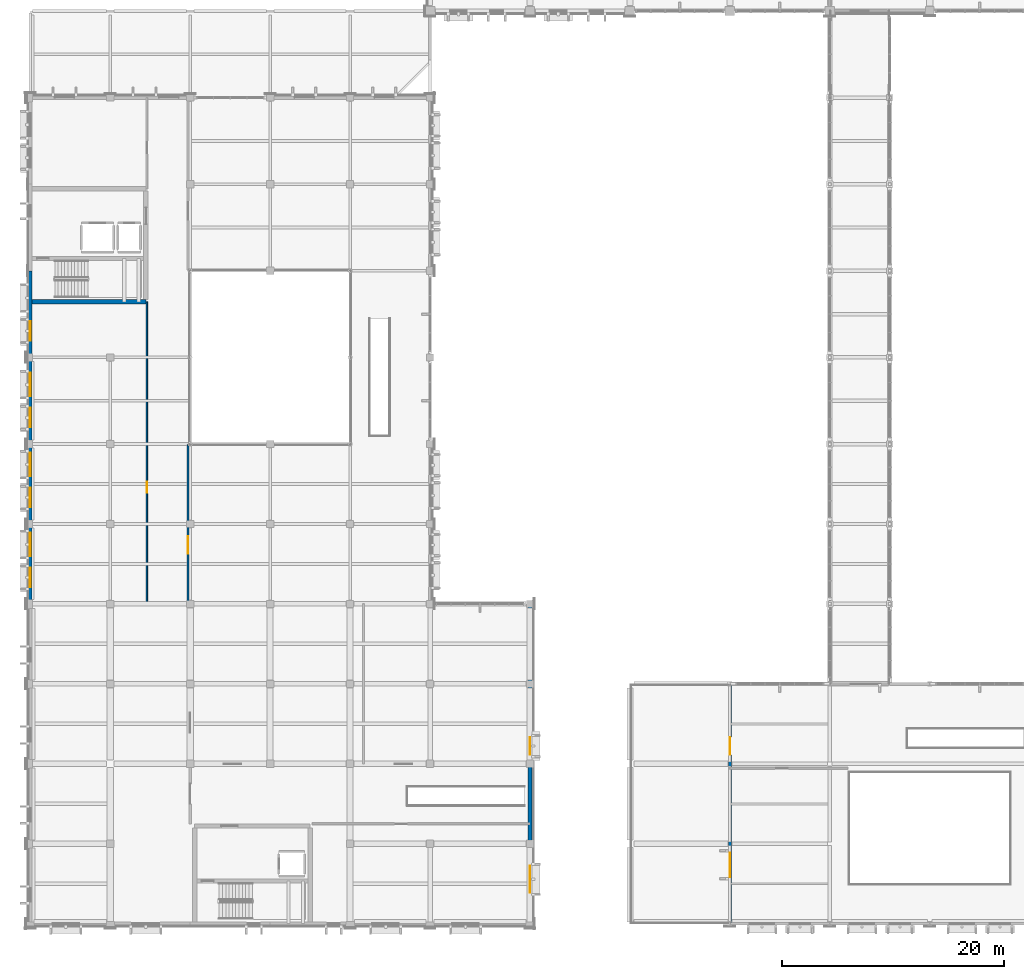
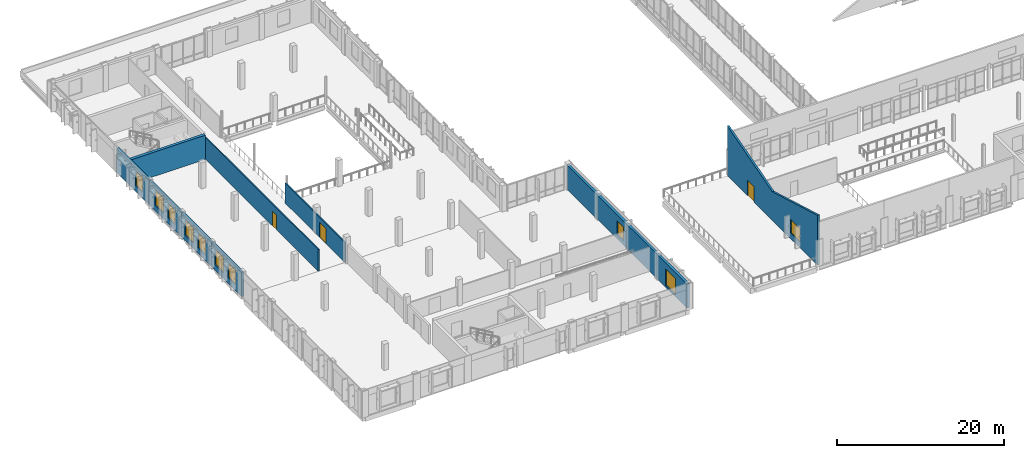
# One storey, part 55 of 85: 10 windows, 9 walls, 3 doors, 13 openings.
"""IFC4 building model written with IfcOpenShell, lengths in metres."""

from ifc_helpers import new_model, si_unit, direction, frame, frame_2d, origin, place, context, subcontext, project, spatial, polyline, rectangle, outline, extrude, material, layer, layer_set, type_object, element, fill, save


model = new_model("IFC4")

# Units and contexts
model_context = context("Model", 3, precision=1e-05, world=origin(), true_north=direction((0.0, 1.0)))
body_context = subcontext(model_context, "Body", "Model", "MODEL_VIEW")
ifc_project = project(units=[si_unit("LENGTHUNIT", "METRE"), si_unit("AREAUNIT", "SQUARE_METRE"), si_unit("VOLUMEUNIT", "CUBIC_METRE"), si_unit("PLANEANGLEUNIT", "RADIAN"), si_unit("MASSUNIT", "GRAM", prefix="KILO")], contexts=[model_context])

# Site, building, storey
site_placement = place(None, origin())
site = spatial("IfcSite", under=ifc_project, at=site_placement, CompositionType="ELEMENT")
building_placement = place(site_placement, origin())
building = spatial("IfcBuilding", under=site, at=building_placement, Name="Vervanel Yard Central Library", CompositionType="ELEMENT")
storey_placement = place(building_placement, frame((0.0, 0.0, 5.10009765625)))
storey = spatial("IfcBuildingStorey", under=building, at=storey_placement, Name="L01", CompositionType="ELEMENT", Elevation=5.10009765625)

# Wall, opening, door
ifc_material_1 = material(Name="Fire-rated gypsum board on steel studs", Category="steel")
ifc_layer_1 = layer(ifc_material_1, 0.159912109375, Category="steel")
ifc_layer_set_1 = layer_set([ifc_layer_1], Name="Fire-rated gypsum board on steel studs")
wall_type_1 = type_object("IfcWallType", Name="Acoustic Glazed Partition 160", PredefinedType="PARTITIONING", material=ifc_layer_set_1)
wall_1_placement = place(storey_placement, frame((14.199951171875, 28.800048828125, 0.0), z_axis=(0.0, 0.0, 1.0), x_axis=(0.0, 1.0, 0.0)))
wall_1 = element("IfcWall", 1, at=wall_1_placement, inside=storey, type_object=wall_type_1, Name="L01 Acoustic Glazed Partition 160 IPART-L01-0059", PredefinedType="PARTITIONING", context=body_context, shape_type="SweptSolid", body=[
    extrude(rectangle(XDim=14.320068359375, YDim=0.159912109375, at=frame_2d((7.16015625, 0.0))), origin(), (0.0, 0.0, 1.0), 2.94287109375),
])
opening_1_placement = place(wall_1_placement, frame((4.5, 0.0, 0.0)))
opening_1 = element("IfcOpeningElement", 2, at=opening_1_placement, cuts=wall_1, Name="Opening DR-04", PredefinedType="OPENING", context=body_context, shape_type="SweptSolid", body=[
    extrude(rectangle(XDim=1.60009765625, YDim=2.199951171875, at=frame_2d((0.800048828125, 1.10009765625))), frame((0.0, 0.08984375, 0.0), z_axis=(0.0, -1.0, 0.0), x_axis=(1.0, 0.0, 0.0)), (0.0, 0.0, 1.0), 0.179931640625),
])
ifc_material_2 = material(Name="Solid white oak acoustic joinery", Category="wood")
door_type_1 = type_object("IfcDoorType", Name="Interior Double Reading Door 1600x2200", OperationType="NOTDEFINED", PredefinedType="DOOR", material=ifc_material_2)
door_1_placement = place(opening_1_placement, origin())
door_1 = element("IfcDoor", 3, at=door_1_placement, inside=storey, type_object=door_type_1, Name="L01 Interior Double Reading Door 1600x2200 IDOOR-L01-0045", OperationType="DOUBLE_DOOR_SINGLE_SWING", OverallHeight=2.199951171875, OverallWidth=1.60009765625, PredefinedType="DOOR", context=body_context, shape_type="SweptSolid", body=[
    extrude(rectangle(XDim=1.60009765625, YDim=2.199951171875, at=frame_2d((0.800048828125, 1.10009765625))), frame((0.0, 0.02490234375, 0.0), z_axis=(0.0, -1.0, 0.0), x_axis=(1.0, 0.0, 0.0)), (0.0, 0.0, 1.0), 0.050048828125),
])
fill(opening_1, door_1)

# Wall, openings, window, door
ifc_material_3 = material(Name="Concrete C40/50", Category="concrete")
ifc_layer_2 = layer(ifc_material_3, 0.260009765625, Category="concrete")
ifc_layer_set_2 = layer_set([ifc_layer_2], Name="Concrete C40/50")
wall_type_2 = type_object("IfcWallType", Name="Children's Pavilion Concrete Wall 260", PredefinedType="SOLIDWALL", material=ifc_layer_set_2)
wall_2_placement = place(storey_placement, frame((63.0, 0.0, 0.0), z_axis=(0.0, 0.0, 1.0), x_axis=(0.0, 1.0, 0.0)))
wall_2 = element("IfcWall", 4, at=wall_2_placement, inside=storey, type_object=wall_type_2, Name="L01 Children's Pavilion Concrete Wall 260 EWALL-L01-0206", PredefinedType="SOLIDWALL", context=body_context, shape_type="SweptSolid", body=[
    extrude(outline(polyline([(0.0, 0.0), (21.60009765625, 0.0), (21.60009765625, 7.296875), (10.800048828125, 4.199951171875), (0.0, 7.296875), (0.0, 0.0)])), frame((0.0, 0.1298828125, 0.0), z_axis=(0.0, -1.0, 0.0), x_axis=(1.0, 0.0, 0.0)), (0.0, 0.0, 1.0), 0.260009765625),
])
opening_2_placement = place(wall_2_placement, frame((15.199951171875, 0.0, 0.0)))
opening_2 = element("IfcOpeningElement", 5, at=opening_2_placement, cuts=wall_2, Name="Opening DR-T01", PredefinedType="OPENING", context=body_context, shape_type="SweptSolid", body=[
    extrude(rectangle(XDim=1.60009765625, YDim=2.25, at=frame_2d((0.800048828125, 1.125))), frame((0.0, 0.139892578125, 0.0), z_axis=(0.0, -1.0, 0.0), x_axis=(1.0, 0.0, 0.0)), (0.0, 0.0, 1.0), 0.280029296875),
])
opening_3_placement = place(wall_2_placement, frame((4.199951171875, 0.0, 0.85009765625)))
opening_3 = element("IfcOpeningElement", 6, at=opening_3_placement, cuts=wall_2, Name="Opening WN-11", PredefinedType="OPENING", context=body_context, shape_type="SweptSolid", body=[
    extrude(rectangle(XDim=2.199951171875, YDim=1.949951171875, at=frame_2d((1.10009765625, 0.97509765625))), frame((0.0, 0.139892578125, 0.0), z_axis=(0.0, -1.0, 0.0), x_axis=(1.0, 0.0, 0.0)), (0.0, 0.0, 1.0), 0.280029296875),
])
ifc_material_4 = material(Name="Double low-E laminated solar-control glass", Category="glass")
window_type_1 = type_object("IfcWindowType", Name="Children's Discovery Picture Window 2200x1950", PartitioningType="SINGLE_PANEL", PredefinedType="WINDOW", material=ifc_material_4)
window_1_placement = place(opening_3_placement, origin())
window_1 = element("IfcWindow", 7, at=window_1_placement, inside=storey, type_object=window_type_1, Name="L01 Children's Discovery Picture Window 2200x1950 269", OverallHeight=1.949951171875, OverallWidth=2.199951171875, PartitioningType="SINGLE_PANEL", PredefinedType="WINDOW", context=body_context, shape_type="SweptSolid", body=[
    extrude(rectangle(XDim=2.199951171875, YDim=1.949951171875, at=frame_2d((1.10009765625, 0.97509765625))), frame((0.0, 0.030029296875, 0.0), z_axis=(0.0, -1.0, 0.0), x_axis=(1.0, 0.0, 0.0)), (0.0, 0.0, 1.0), 0.06005859375),
])
fill(opening_3, window_1)
ifc_material_5 = material(Name="Thermally broken anodized aluminium 6063-T6", Category="aluminium")
door_type_2 = type_object("IfcDoorType", Name="Roof Garden Terrace Double Door 1600x2250", OperationType="NOTDEFINED", PredefinedType="DOOR", material=ifc_material_5)
door_2_placement = place(opening_2_placement, origin())
door_2 = element("IfcDoor", 8, at=door_2_placement, inside=storey, type_object=door_type_2, Name="L01 Roof Garden Terrace Double Door 1600x2250 21", OperationType="DOUBLE_DOOR_SINGLE_SWING", OverallHeight=2.25, OverallWidth=1.60009765625, PredefinedType="DOOR", context=body_context, shape_type="SweptSolid", body=[
    extrude(rectangle(XDim=1.60009765625, YDim=2.25, at=frame_2d((0.800048828125, 1.125))), frame((0.0, 0.02490234375, 0.0), z_axis=(0.0, -1.0, 0.0), x_axis=(1.0, 0.0, 0.0)), (0.0, 0.0, 1.0), 0.050048828125),
])
fill(opening_2, door_2)

# Wall
ifc_material_6 = material(Name="Concrete C45/55", Category="concrete")
ifc_layer_3 = layer(ifc_material_6, 0.39990234375, Category="concrete")
ifc_layer_set_3 = layer_set([ifc_layer_3], Name="Concrete C45/55")
wall_type_3 = type_object("IfcWallType", Name="Core Primary Shear Wall 400", PredefinedType="SHEAR", material=ifc_layer_set_3)
wall_3_placement = place(storey_placement, frame((0.169921875, 56.0, 0.0), z_axis=(0.0, 0.0, 1.0), x_axis=(1.0, 0.0, 0.0)))
element("IfcWall", 9, at=wall_3_placement, inside=storey, type_object=wall_type_3, Name="L01 CORE-C Shear Wall S", PredefinedType="SHEAR", context=body_context, shape_type="SweptSolid", body=[
    extrude(rectangle(XDim=10.22998046875, YDim=0.39990234375, at=frame_2d((5.114990234375, 0.0))), origin(), (0.0, 0.0, 1.0), 3.5498046875),
])

# Wall, openings, windows
ifc_layer_4 = layer(ifc_material_6, 0.340087890625, Category="concrete")
ifc_layer_set_4 = layer_set([ifc_layer_4], Name="Concrete C45/55")
wall_type_4 = type_object("IfcWallType", Name="Exterior Bearing Concrete Frame Wall 340", PredefinedType="SOLIDWALL", material=ifc_layer_set_4)
wall_4_placement = place(storey_placement, frame((0.0, 28.800048828125, 0.0), z_axis=(0.0, 0.0, 1.0), x_axis=(0.0, 1.0, 0.0)))
wall_4 = element("IfcWall", 10, at=wall_4_placement, inside=storey, type_object=wall_type_4, Name="L01 Exterior Bearing Concrete Frame Wall 340 EWALL-L01-0098", PredefinedType="SOLIDWALL", context=body_context, shape_type="SweptSolid", body=[
    extrude(rectangle(XDim=7.199951171875, YDim=0.340087890625, at=frame_2d((3.60009765625, 0.0))), origin(), (0.0, 0.0, 1.0), 3.5498046875),
])
opening_4_placement = place(wall_4_placement, frame((1.5, 0.0, 0.85009765625)))
opening_4 = element("IfcOpeningElement", 11, at=opening_4_placement, cuts=wall_4, Name="Opening WN-23", PredefinedType="OPENING", context=body_context, shape_type="SweptSolid", body=[
    extrude(rectangle(XDim=1.75, YDim=2.14990234375, at=frame_2d((0.875, 1.074951171875))), frame((0.0, 0.179931640625, 0.0), z_axis=(0.0, -1.0, 0.0), x_axis=(1.0, 0.0, 0.0)), (0.0, 0.0, 1.0), 0.360107421875),
])
opening_5_placement = place(wall_4_placement, frame((4.300048828125, 0.0, 0.827880859375)))
opening_5 = element("IfcOpeningElement", 12, at=opening_5_placement, cuts=wall_4, Name="Opening WN-08", PredefinedType="OPENING", context=body_context, shape_type="SweptSolid", body=[
    extrude(rectangle(XDim=2.10009765625, YDim=2.25, at=frame_2d((1.050048828125, 1.125))), frame((0.0, 0.179931640625, 0.0), z_axis=(0.0, -1.0, 0.0), x_axis=(1.0, 0.0, 0.0)), (0.0, 0.0, 1.0), 0.360107421875),
])
window_type_2 = type_object("IfcWindowType", Name="Atrium Northlight Window 1750x2150", PartitioningType="SINGLE_PANEL", PredefinedType="WINDOW", material=ifc_material_4)
window_2_placement = place(opening_4_placement, origin())
window_2 = element("IfcWindow", 13, at=window_2_placement, inside=storey, type_object=window_type_2, Name="L01 Atrium Northlight Window 1750x2150 124", OverallHeight=2.14990234375, OverallWidth=1.75, PartitioningType="SINGLE_PANEL", PredefinedType="WINDOW", context=body_context, shape_type="SweptSolid", body=[
    extrude(rectangle(XDim=1.75, YDim=2.14990234375, at=frame_2d((0.875, 1.074951171875))), frame((0.0, 0.030029296875, 0.0), z_axis=(0.0, -1.0, 0.0), x_axis=(1.0, 0.0, 0.0)), (0.0, 0.0, 1.0), 0.06005859375),
])
fill(opening_4, window_2)
window_type_3 = type_object("IfcWindowType", Name="Atrium Seminar Window 2100x2250", PartitioningType="SINGLE_PANEL", PredefinedType="WINDOW", material=ifc_material_4)
window_3_placement = place(opening_5_placement, origin())
window_3 = element("IfcWindow", 14, at=window_3_placement, inside=storey, type_object=window_type_3, Name="L01 Atrium Seminar Window 2100x2250 125", OverallHeight=2.25, OverallWidth=2.10009765625, PartitioningType="SINGLE_PANEL", PredefinedType="WINDOW", context=body_context, shape_type="SweptSolid", body=[
    extrude(rectangle(XDim=2.10009765625, YDim=2.25, at=frame_2d((1.050048828125, 1.125))), frame((0.0, 0.030029296875, 0.0), z_axis=(0.0, -1.0, 0.0), x_axis=(1.0, 0.0, 0.0)), (0.0, 0.0, 1.0), 0.06005859375),
])
fill(opening_5, window_3)

wall_5_placement = place(storey_placement, frame((0.0, 36.0, 0.0), z_axis=(0.0, 0.0, 1.0), x_axis=(0.0, 1.0, 0.0)))
wall_5 = element("IfcWall", 15, at=wall_5_placement, inside=storey, type_object=wall_type_4, Name="L01 Exterior Bearing Concrete Frame Wall 340 EWALL-L01-0099", PredefinedType="SOLIDWALL", context=body_context, shape_type="SweptSolid", body=[
    extrude(rectangle(XDim=7.199951171875, YDim=0.340087890625, at=frame_2d((3.60009765625, 0.0))), origin(), (0.0, 0.0, 1.0), 3.5498046875),
])
opening_6_placement = place(wall_5_placement, frame((1.5, 0.0, 0.85009765625)))
opening_6 = element("IfcOpeningElement", 16, at=opening_6_placement, cuts=wall_5, Name="Opening WN-23", PredefinedType="OPENING", context=body_context, shape_type="SweptSolid", body=[
    extrude(rectangle(XDim=1.75, YDim=2.14990234375, at=frame_2d((0.875, 1.074951171875))), frame((0.0, 0.179931640625, 0.0), z_axis=(0.0, -1.0, 0.0), x_axis=(1.0, 0.0, 0.0)), (0.0, 0.0, 1.0), 0.360107421875),
])
opening_7_placement = place(wall_5_placement, frame((4.300048828125, 0.0, 0.798095703125)))
opening_7 = element("IfcOpeningElement", 17, at=opening_7_placement, cuts=wall_5, Name="Opening WN-08", PredefinedType="OPENING", context=body_context, shape_type="SweptSolid", body=[
    extrude(rectangle(XDim=2.10009765625, YDim=2.25, at=frame_2d((1.050048828125, 1.125))), frame((0.0, 0.179931640625, 0.0), z_axis=(0.0, -1.0, 0.0), x_axis=(1.0, 0.0, 0.0)), (0.0, 0.0, 1.0), 0.360107421875),
])
window_4_placement = place(opening_6_placement, origin())
window_4 = element("IfcWindow", 18, at=window_4_placement, inside=storey, type_object=window_type_2, Name="L01 Atrium Northlight Window 1750x2150 126", OverallHeight=2.14990234375, OverallWidth=1.75, PartitioningType="SINGLE_PANEL", PredefinedType="WINDOW", context=body_context, shape_type="SweptSolid", body=[
    extrude(rectangle(XDim=1.75, YDim=2.14990234375, at=frame_2d((0.875, 1.074951171875))), frame((0.0, 0.030029296875, 0.0), z_axis=(0.0, -1.0, 0.0), x_axis=(1.0, 0.0, 0.0)), (0.0, 0.0, 1.0), 0.06005859375),
])
fill(opening_6, window_4)
window_5_placement = place(opening_7_placement, origin())
window_5 = element("IfcWindow", 19, at=window_5_placement, inside=storey, type_object=window_type_3, Name="L01 Atrium Seminar Window 2100x2250 127", OverallHeight=2.25, OverallWidth=2.10009765625, PartitioningType="SINGLE_PANEL", PredefinedType="WINDOW", context=body_context, shape_type="SweptSolid", body=[
    extrude(rectangle(XDim=2.10009765625, YDim=2.25, at=frame_2d((1.050048828125, 1.125))), frame((0.0, 0.030029296875, 0.0), z_axis=(0.0, -1.0, 0.0), x_axis=(1.0, 0.0, 0.0)), (0.0, 0.0, 1.0), 0.06005859375),
])
fill(opening_7, window_5)

wall_6_placement = place(storey_placement, frame((0.0, 43.199951171875, 0.0), z_axis=(0.0, 0.0, 1.0), x_axis=(0.0, 1.0, 0.0)))
wall_6 = element("IfcWall", 20, at=wall_6_placement, inside=storey, type_object=wall_type_4, Name="L01 Exterior Bearing Concrete Frame Wall 340 EWALL-L01-0100", PredefinedType="SOLIDWALL", context=body_context, shape_type="SweptSolid", body=[
    extrude(rectangle(XDim=7.800048828125, YDim=0.340087890625, at=frame_2d((3.89990234375, 0.0))), origin(), (0.0, 0.0, 1.0), 3.5498046875),
])
opening_8_placement = place(wall_6_placement, frame((1.5, 0.0, 0.85009765625)))
opening_8 = element("IfcOpeningElement", 21, at=opening_8_placement, cuts=wall_6, Name="Opening WN-23", PredefinedType="OPENING", context=body_context, shape_type="SweptSolid", body=[
    extrude(rectangle(XDim=1.75, YDim=2.14990234375, at=frame_2d((0.875, 1.074951171875))), frame((0.0, 0.179931640625, 0.0), z_axis=(0.0, -1.0, 0.0), x_axis=(1.0, 0.0, 0.0)), (0.0, 0.0, 1.0), 0.360107421875),
])
opening_9_placement = place(wall_6_placement, frame((4.300048828125, 0.0, 0.798095703125)))
opening_9 = element("IfcOpeningElement", 22, at=opening_9_placement, cuts=wall_6, Name="Opening WN-08", PredefinedType="OPENING", context=body_context, shape_type="SweptSolid", body=[
    extrude(rectangle(XDim=2.10009765625, YDim=2.25, at=frame_2d((1.050048828125, 1.125))), frame((0.0, 0.179931640625, 0.0), z_axis=(0.0, -1.0, 0.0), x_axis=(1.0, 0.0, 0.0)), (0.0, 0.0, 1.0), 0.360107421875),
])
window_6_placement = place(opening_8_placement, origin())
window_6 = element("IfcWindow", 23, at=window_6_placement, inside=storey, type_object=window_type_2, Name="L01 Atrium Northlight Window 1750x2150 128", OverallHeight=2.14990234375, OverallWidth=1.75, PartitioningType="SINGLE_PANEL", PredefinedType="WINDOW", context=body_context, shape_type="SweptSolid", body=[
    extrude(rectangle(XDim=1.75, YDim=2.14990234375, at=frame_2d((0.875, 1.074951171875))), frame((0.0, 0.030029296875, 0.0), z_axis=(0.0, -1.0, 0.0), x_axis=(1.0, 0.0, 0.0)), (0.0, 0.0, 1.0), 0.06005859375),
])
fill(opening_8, window_6)
window_7_placement = place(opening_9_placement, origin())
window_7 = element("IfcWindow", 24, at=window_7_placement, inside=storey, type_object=window_type_3, Name="L01 Atrium Seminar Window 2100x2250 129", OverallHeight=2.25, OverallWidth=2.10009765625, PartitioningType="SINGLE_PANEL", PredefinedType="WINDOW", context=body_context, shape_type="SweptSolid", body=[
    extrude(rectangle(XDim=2.10009765625, YDim=2.25, at=frame_2d((1.050048828125, 1.125))), frame((0.0, 0.030029296875, 0.0), z_axis=(0.0, -1.0, 0.0), x_axis=(1.0, 0.0, 0.0)), (0.0, 0.0, 1.0), 0.06005859375),
])
fill(opening_9, window_7)

# Wall, opening, window
wall_7_placement = place(storey_placement, frame((0.0, 51.0, 0.0), z_axis=(0.0, 0.0, 1.0), x_axis=(0.0, 1.0, 0.0)))
wall_7 = element("IfcWall", 25, at=wall_7_placement, inside=storey, type_object=wall_type_4, Name="L01 Exterior Bearing Concrete Frame Wall 340 EWALL-L01-0101", PredefinedType="SOLIDWALL", context=body_context, shape_type="SweptSolid", body=[
    extrude(rectangle(XDim=7.800048828125, YDim=0.340087890625, at=frame_2d((3.89990234375, 0.0))), origin(), (0.0, 0.0, 1.0), 3.5498046875),
])
opening_10_placement = place(wall_7_placement, frame((1.5, 0.0, 0.85009765625)))
opening_10 = element("IfcOpeningElement", 26, at=opening_10_placement, cuts=wall_7, Name="Opening WN-23", PredefinedType="OPENING", context=body_context, shape_type="SweptSolid", body=[
    extrude(rectangle(XDim=1.75, YDim=2.14990234375, at=frame_2d((0.875, 1.074951171875))), frame((0.0, 0.179931640625, 0.0), z_axis=(0.0, -1.0, 0.0), x_axis=(1.0, 0.0, 0.0)), (0.0, 0.0, 1.0), 0.360107421875),
])
window_8_placement = place(opening_10_placement, origin())
window_8 = element("IfcWindow", 27, at=window_8_placement, inside=storey, type_object=window_type_2, Name="L01 Atrium Northlight Window 1750x2150 130", OverallHeight=2.14990234375, OverallWidth=1.75, PartitioningType="SINGLE_PANEL", PredefinedType="WINDOW", context=body_context, shape_type="SweptSolid", body=[
    extrude(rectangle(XDim=1.75, YDim=2.14990234375, at=frame_2d((0.875, 1.074951171875))), frame((0.0, 0.030029296875, 0.0), z_axis=(0.0, -1.0, 0.0), x_axis=(1.0, 0.0, 0.0)), (0.0, 0.0, 1.0), 0.06005859375),
])
fill(opening_10, window_8)

# Wall, openings, windows
wall_8_placement = place(storey_placement, frame((45.0, 0.0, 0.0), z_axis=(0.0, 0.0, 1.0), x_axis=(0.0, 1.0, 0.0)))
wall_8 = element("IfcWall", 28, at=wall_8_placement, inside=storey, type_object=wall_type_4, Name="L01 Exterior Bearing Concrete Frame Wall 340 EWALL-L01-0232", PredefinedType="SOLIDWALL", context=body_context, shape_type="SweptSolid", body=[
    extrude(rectangle(XDim=28.800048828125, YDim=0.340087890625, at=frame_2d((14.39990234375, 0.0))), origin(), (0.0, 0.0, 1.0), 3.5498046875),
])
opening_11_placement = place(wall_8_placement, frame((2.800048828125, 0.0, 0.2548828125)))
opening_11 = element("IfcOpeningElement", 29, at=opening_11_placement, cuts=wall_8, Name="Opening WN-09", PredefinedType="OPENING", context=body_context, shape_type="SweptSolid", body=[
    extrude(rectangle(XDim=2.39990234375, YDim=2.39990234375, at=frame_2d((1.199951171875, 1.199951171875))), frame((0.0, 0.179931640625, 0.0), z_axis=(0.0, -1.0, 0.0), x_axis=(1.0, 0.0, 0.0)), (0.0, 0.0, 1.0), 0.360107421875),
])
opening_12_placement = place(wall_8_placement, frame((15.199951171875, 0.0, 0.60498046875)))
opening_12 = element("IfcOpeningElement", 30, at=opening_12_placement, cuts=wall_8, Name="Opening WN-20", PredefinedType="OPENING", context=body_context, shape_type="SweptSolid", body=[
    extrude(rectangle(XDim=1.60009765625, YDim=2.050048828125, at=frame_2d((0.800048828125, 1.02490234375))), frame((0.0, 0.179931640625, 0.0), z_axis=(0.0, -1.0, 0.0), x_axis=(1.0, 0.0, 0.0)), (0.0, 0.0, 1.0), 0.360107421875),
])
window_type_4 = type_object("IfcWindowType", Name="Maker Workshop Window 2400x2400", PartitioningType="SINGLE_PANEL", PredefinedType="WINDOW", material=ifc_material_4)
window_9_placement = place(opening_11_placement, origin())
window_9 = element("IfcWindow", 31, at=window_9_placement, inside=storey, type_object=window_type_4, Name="L01 Maker Workshop Window 2400x2400 296", OverallHeight=2.39990234375, OverallWidth=2.39990234375, PartitioningType="SINGLE_PANEL", PredefinedType="WINDOW", context=body_context, shape_type="SweptSolid", body=[
    extrude(rectangle(XDim=2.39990234375, YDim=2.39990234375, at=frame_2d((1.199951171875, 1.199951171875))), frame((0.0, 0.030029296875, 0.0), z_axis=(0.0, -1.0, 0.0), x_axis=(1.0, 0.0, 0.0)), (0.0, 0.0, 1.0), 0.06005859375),
])
fill(opening_11, window_9)
window_type_5 = type_object("IfcWindowType", Name="Reading Courtyard Window 1600x2050", PartitioningType="SINGLE_PANEL", PredefinedType="WINDOW", material=ifc_material_4)
window_10_placement = place(opening_12_placement, origin())
window_10 = element("IfcWindow", 32, at=window_10_placement, inside=storey, type_object=window_type_5, Name="L01 Reading Courtyard Window 1600x2050 297", OverallHeight=2.050048828125, OverallWidth=1.60009765625, PartitioningType="SINGLE_PANEL", PredefinedType="WINDOW", context=body_context, shape_type="SweptSolid", body=[
    extrude(rectangle(XDim=1.60009765625, YDim=2.050048828125, at=frame_2d((0.800048828125, 1.02490234375))), frame((0.0, 0.030029296875, 0.0), z_axis=(0.0, -1.0, 0.0), x_axis=(1.0, 0.0, 0.0)), (0.0, 0.0, 1.0), 0.06005859375),
])
fill(opening_12, window_10)

# Wall, opening, door
ifc_layer_5 = layer(ifc_material_1, 0.14990234375, Category="steel")
ifc_layer_set_5 = layer_set([ifc_layer_5], Name="Fire-rated gypsum board on steel studs")
wall_type_5 = type_object("IfcWallType", Name="Interior Partition 150", PredefinedType="PARTITIONING", material=ifc_layer_set_5)
wall_9_placement = place(storey_placement, frame((10.5, 28.800048828125, 0.0), z_axis=(0.0, 0.0, 1.0), x_axis=(0.0, 1.0, 0.0)))
wall_9 = element("IfcWall", 33, at=wall_9_placement, inside=storey, type_object=wall_type_5, Name="L01 Interior Partition 150 IPART-L01-0061", PredefinedType="PARTITIONING", context=body_context, shape_type="SweptSolid", body=[
    extrude(rectangle(XDim=27.199951171875, YDim=0.14990234375, at=frame_2d((13.60009765625, 0.0))), origin(), (0.0, 0.0, 1.0), 3.19921875),
])
opening_13_placement = place(wall_9_placement, frame((10.0, 0.0, 0.0)))
opening_13 = element("IfcOpeningElement", 34, at=opening_13_placement, cuts=wall_9, Name="Opening DR-01", PredefinedType="OPENING", context=body_context, shape_type="SweptSolid", body=[
    extrude(rectangle(XDim=1.0, YDim=2.14990234375, at=frame_2d((0.5, 1.074951171875))), frame((0.0, 0.0849609375, 0.0), z_axis=(0.0, -1.0, 0.0), x_axis=(1.0, 0.0, 0.0)), (0.0, 0.0, 1.0), 0.169921875),
])
door_type_3 = type_object("IfcDoorType", Name="Interior Single Door 1000x2150", OperationType="NOTDEFINED", PredefinedType="DOOR", material=ifc_material_2)
door_3_placement = place(opening_13_placement, origin())
door_3 = element("IfcDoor", 35, at=door_3_placement, inside=storey, type_object=door_type_3, Name="L01 Interior Single Door 1000x2150 IDOOR-L01-0047", OperationType="SINGLE_SWING_LEFT", OverallHeight=2.14990234375, OverallWidth=1.0, PredefinedType="DOOR", context=body_context, shape_type="SweptSolid", body=[
    extrude(rectangle(XDim=1.0, YDim=2.14990234375, at=frame_2d((0.5, 1.074951171875))), frame((0.0, 0.02490234375, 0.0), z_axis=(0.0, -1.0, 0.0), x_axis=(1.0, 0.0, 0.0)), (0.0, 0.0, 1.0), 0.050048828125),
])
fill(opening_13, door_3)

save(model, "model.ifc")
